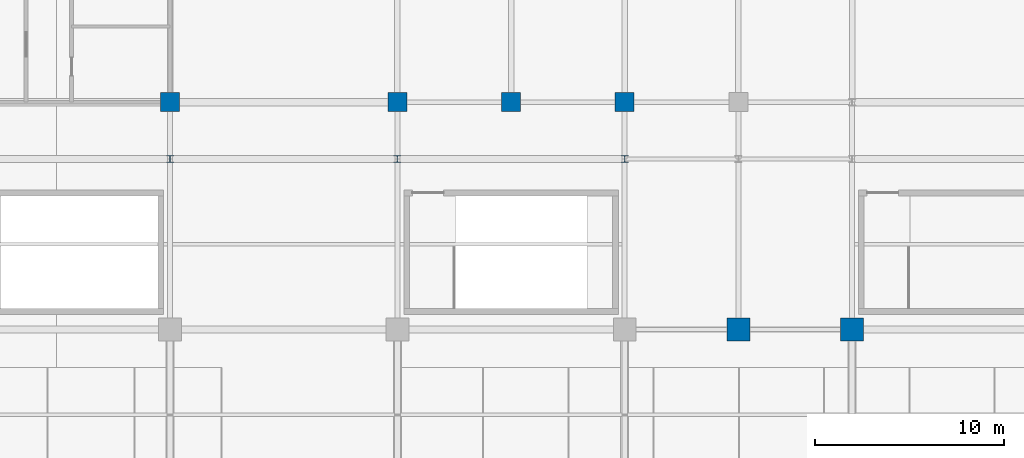
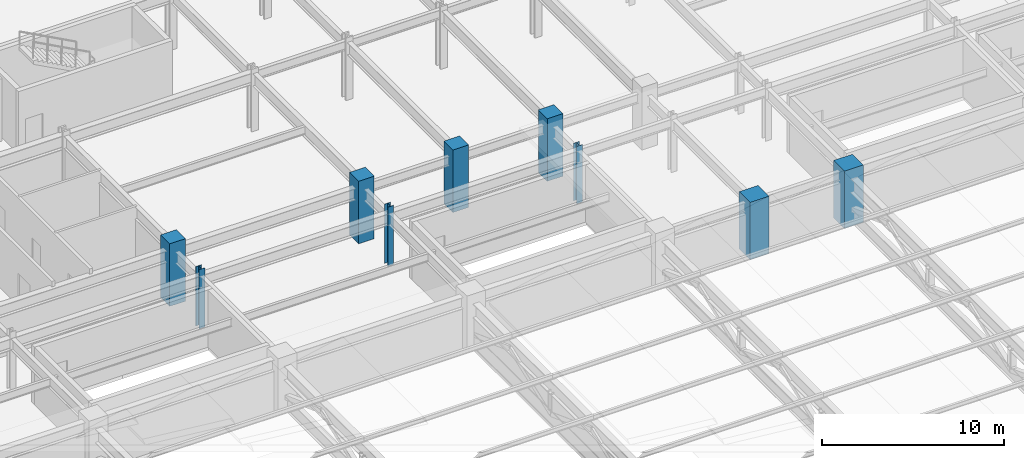
# One storey, part 11 of 108: 9 columns.
"""IFC4 building model written with IfcOpenShell, lengths in metres."""

from ifc_helpers import new_model, si_unit, direction, frame, origin, origin_2d, place, context, subcontext, project, spatial, rectangle, i_section, extrude, material, material_profile, profile_set, type_object, element, save


model = new_model("IFC4")

# Units and contexts
model_context = context("Model", 3, precision=1e-05, world=origin(), true_north=direction((0.0, 1.0)))
body_context = subcontext(model_context, "Body", "Model", "MODEL_VIEW")
ifc_project = project(units=[si_unit("LENGTHUNIT", "METRE"), si_unit("AREAUNIT", "SQUARE_METRE"), si_unit("VOLUMEUNIT", "CUBIC_METRE"), si_unit("PLANEANGLEUNIT", "RADIAN"), si_unit("MASSUNIT", "GRAM", prefix="KILO")], contexts=[model_context])

# Site, building, storey
site_placement = place(None, origin())
site = spatial("IfcSite", under=ifc_project, at=site_placement, CompositionType="ELEMENT")
building_placement = place(site_placement, origin())
building = spatial("IfcBuilding", under=site, at=building_placement, Name="Kaldorvane Square Convention Centre", CompositionType="ELEMENT")
storey_placement = place(building_placement, frame((0.0, 0.0, 23.399993896484375)))
storey = spatial("IfcBuildingStorey", under=building, at=storey_placement, Name="L04", CompositionType="ELEMENT", Elevation=23.399993896484375)

# Columns
ifc_material_1 = material(Name="Concrete f'c = 55 MPa (Normalweight)", Category="concrete")
ifc_material_profile_1 = material_profile(ifc_material_1, rectangle(XDim=1.1999969482421875, YDim=1.1999969482421875, at=origin_2d()), Name="RC1200X1200")
ifc_profile_set_1 = profile_set([ifc_material_profile_1], Name="Concrete f'c = 55 MPa (Normalweight)")
column_type_1 = type_object("IfcColumnType", Name="COL-MEGA-1200", PredefinedType="COLUMN", material=ifc_profile_set_1)
for number, where, z_axis, x_axis, name in (
    (1, (96.0, 72.0, 0.0), (0.0, 0.0, 1.0), (1.0, 0.0, 0.0), "Column MC-02 (L04)"),
    (2, (102.0, 72.0, 0.0), (0.0, 0.0, 1.0), (1.0, 0.0, 0.0), "Column MC-02 (L04)"),
):
    element("IfcColumn", number, at=place(storey_placement, frame(where, z_axis=z_axis, x_axis=x_axis)), inside=storey, type_object=column_type_1, Name=name, PredefinedType="COLUMN", context=body_context, shape_type="SweptSolid", body=[
        extrude(rectangle(XDim=1.1999969482421875, YDim=1.1999969482421875, at=origin_2d()), origin(), (0.0, 0.0, 1.0), 3.850006103515625),
    ])
ifc_material_profile_2 = material_profile(ifc_material_1, rectangle(XDim=1.0, YDim=1.0, at=origin_2d()), Name="RC1000X1000")
ifc_profile_set_2 = profile_set([ifc_material_profile_2], Name="Concrete f'c = 55 MPa (Normalweight)")
column_type_2 = type_object("IfcColumnType", Name="COL-RC-1000", PredefinedType="COLUMN", material=ifc_profile_set_2)
for number, where, z_axis, x_axis, name in (
    (3, (66.0, 84.0, 0.0), (0.0, 0.0, 1.0), (1.0, 0.0, 0.0), "Column CC-02 (L04)"),
    (4, (78.0, 84.0, 0.0), (0.0, 0.0, 1.0), (1.0, 0.0, 0.0), "Column CC-02 (L04)"),
    (5, (84.0, 84.0, 0.0), (0.0, 0.0, 1.0), (1.0, 0.0, 0.0), "Column CC-02 (L04)"),
    (6, (90.0, 84.0, 0.0), (0.0, 0.0, 1.0), (1.0, 0.0, 0.0), "Column CC-02 (L04)"),
):
    element("IfcColumn", number, at=place(storey_placement, frame(where, z_axis=z_axis, x_axis=x_axis)), inside=storey, type_object=column_type_2, Name=name, PredefinedType="COLUMN", context=body_context, shape_type="SweptSolid", body=[
        extrude(rectangle(XDim=1.0, YDim=1.0, at=origin_2d()), origin(), (0.0, 0.0, 1.0), 4.20001220703125),
    ])
ifc_material_2 = material(Name="Steel ASTM A992 Gr. 50", Category="steel")
ifc_material_profile_3 = material_profile(ifc_material_2, i_section(OverallWidth=0.3701019287109375, OverallDepth=0.360198974609375, WebThickness=0.012298583984375, FlangeThickness=0.019805908203125, FilletRadius=0.0305023193359375, at=origin_2d()), Name="W14X99")
ifc_profile_set_3 = profile_set([ifc_material_profile_3], Name="Steel ASTM A992 Gr. 50")
column_type_3 = type_object("IfcColumnType", Name="COL-STL-99", PredefinedType="COLUMN", material=ifc_profile_set_3)
for number, where, z_axis, x_axis, name in (
    (7, (66.0, 81.0, 0.0), (0.0, 0.0, 1.0), (1.0, 0.0, 0.0), "Column SC-12 (L04)"),
    (8, (78.0, 81.0, 0.0), (0.0, 0.0, 1.0), (1.0, 0.0, 0.0), "Column SC-12 (L04)"),
):
    element("IfcColumn", number, at=place(storey_placement, frame(where, z_axis=z_axis, x_axis=x_axis)), inside=storey, type_object=column_type_3, Name=name, PredefinedType="COLUMN", context=body_context, shape_type="SweptSolid", body=[
        extrude(i_section(OverallWidth=0.3701019287109375, OverallDepth=0.360198974609375, WebThickness=0.012298583984375, FlangeThickness=0.019805908203125, FilletRadius=0.0305023193359375, at=origin_2d()), origin(), (0.0, 0.0, 1.0), 3.975006103515625),
    ])
column_placement = place(storey_placement, frame((90.0, 81.0, 0.0), z_axis=(0.0, 0.0, 1.0), x_axis=(1.0, 0.0, 0.0)))
element("IfcColumn", 9, at=column_placement, inside=storey, type_object=column_type_3, Name="Column SC-12 (L04)", PredefinedType="COLUMN", context=body_context, shape_type="SweptSolid", body=[
    extrude(i_section(OverallWidth=0.3701019287109375, OverallDepth=0.360198974609375, WebThickness=0.012298583984375, FlangeThickness=0.019805908203125, FilletRadius=0.0305023193359375, at=origin_2d()), origin(), (0.0, 0.0, 1.0), 3.850006103515625),
])

save(model, "model.ifc")
